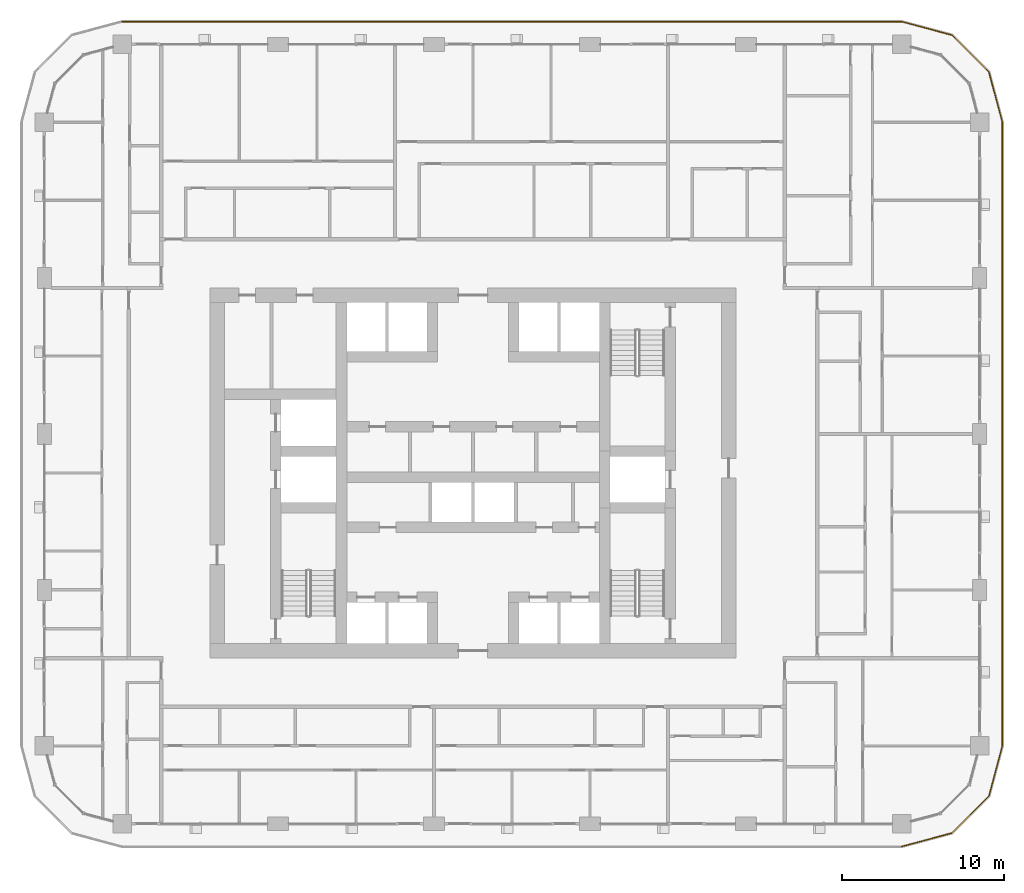
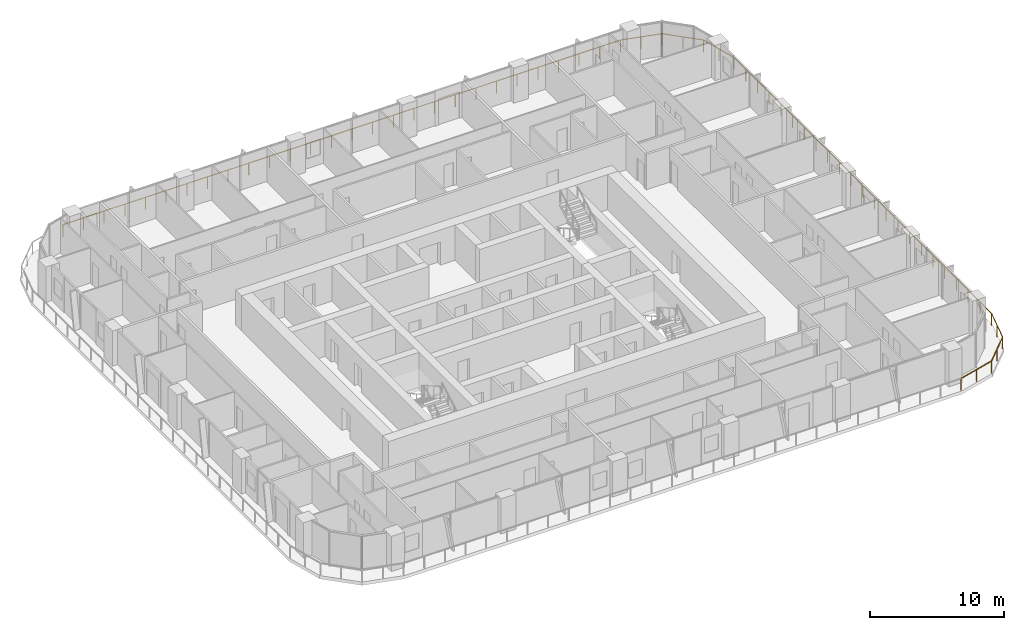
# One storey, part 19 of 21: 1 railing.
"""IFC4 building model written with IfcOpenShell, lengths in metres."""

from ifc_helpers import new_model, si_unit, direction, frame, origin, origin_2d, place, context, subcontext, project, spatial, circle, extrude, material, type_object, element, save


model = new_model("IFC4")

# Units and contexts
model_context = context("Model", 3, precision=1e-05, world=origin(), true_north=direction((0.0, 1.0)))
body_context = subcontext(model_context, "Body", "Model", "MODEL_VIEW")
ifc_project = project(units=[si_unit("LENGTHUNIT", "METRE"), si_unit("AREAUNIT", "SQUARE_METRE"), si_unit("VOLUMEUNIT", "CUBIC_METRE"), si_unit("PLANEANGLEUNIT", "RADIAN"), si_unit("MASSUNIT", "GRAM", prefix="KILO")], contexts=[model_context])

# Site, building, storey
site_placement = place(None, origin())
site = spatial("IfcSite", under=ifc_project, at=site_placement, CompositionType="ELEMENT")
building_placement = place(site_placement, origin())
building = spatial("IfcBuilding", under=site, at=building_placement, Name="Madar Terraces", CompositionType="ELEMENT")
storey_placement = place(building_placement, frame((0.0, 0.0, 92.699951171875)))
storey = spatial("IfcBuildingStorey", under=building, at=storey_placement, Name="L23", CompositionType="ELEMENT", Elevation=92.699951171875)

# Railing
ifc_material = material(Name="Glass, safety glazing, with stainless steel posts", Category="steel")
railing_type = type_object("IfcRailingType", Name="Balcony glass guard 1100", PredefinedType="GUARDRAIL", material=ifc_material)
railing_placement = place(storey_placement, frame((57.60009765625, 3.39990234375, 0.0)))
element("IfcRailing", 1, at=railing_placement, inside=storey, type_object=railing_type, Name="Balcony guard", PredefinedType="GUARDRAIL", context=body_context, shape_type="SweptSolid", body=[
    extrude(circle(Radius=0.02392578125, at=origin_2d()), frame((0.0, 0.0, 1.076171875), z_axis=(0.965909675762, 0.25887931217, 0.0), x_axis=(-0.25887931217, 0.965909675762, 0.0)), (0.0, 0.0, 1.0), 3.209228515625),
    extrude(circle(Radius=0.02392578125, at=origin_2d()), frame((3.099853515625, 0.830810546875, 1.076171875), z_axis=(0.707144815061, 0.707068745266, 0.0), x_axis=(-0.707068745266, 0.707144815061, 0.0)), (0.0, 0.0, 1.0), 3.20947265625),
    extrude(circle(Radius=0.02392578125, at=origin_2d()), frame((5.369384765625, 3.10009765625, 1.076171875), z_axis=(0.258789317819, 0.9659337912, 0.0), x_axis=(-0.9659337912, 0.258789317819, 0.0)), (0.0, 0.0, 1.0), 3.20947265625),
    extrude(circle(Radius=0.02392578125, at=origin_2d()), frame((6.199951171875, 6.2001953125, 1.076171875), z_axis=(0.0, 1.0, 0.0), x_axis=(-1.0, 0.0, 0.0)), (0.0, 0.0, 1.0), 38.39990234375),
    extrude(circle(Radius=0.02392578125, at=origin_2d()), frame((6.199951171875, 44.60009765625, 1.076171875), z_axis=(-0.258789317819, 0.9659337912, 0.0), x_axis=(-0.9659337912, -0.258789317819, 0.0)), (0.0, 0.0, 1.0), 3.20947265625),
    extrude(circle(Radius=0.02392578125, at=origin_2d()), frame((5.369384765625, 47.7001953125, 1.076171875), z_axis=(-0.707144815061, 0.707068745266, 0.0), x_axis=(-0.707068745266, -0.707144815061, 0.0)), (0.0, 0.0, 1.0), 3.20947265625),
    extrude(circle(Radius=0.02392578125, at=origin_2d()), frame((3.099853515625, 49.969482421875, 1.076171875), z_axis=(-0.965928696102, 0.258808334578, 0.0), x_axis=(-0.258808334578, -0.965928696102, 0.0)), (0.0, 0.0, 1.0), 3.209228515625),
    extrude(circle(Radius=0.02392578125, at=origin_2d()), frame((0.0, 50.800048828125, 1.076171875), z_axis=(-1.0, 0.0, 0.0), x_axis=(0.0, -1.0, 0.0)), (0.0, 0.0, 1.0), 48.0),
    extrude(circle(Radius=0.02099609375, at=origin_2d()), origin(), (0.0, 0.0, 1.0), 1.052001953125),
    extrude(circle(Radius=0.02099609375, at=origin_2d()), frame((1.5498046875, 0.41552734375, 0.0)), (0.0, 0.0, 1.0), 1.052001953125),
    extrude(circle(Radius=0.02099609375, at=origin_2d()), frame((3.099853515625, 0.830810546875, 0.0)), (0.0, 0.0, 1.0), 1.052001953125),
    extrude(circle(Radius=0.02099609375, at=origin_2d()), frame((4.234619140625, 1.96533203125, 0.0)), (0.0, 0.0, 1.0), 1.052001953125),
    extrude(circle(Radius=0.02099609375, at=origin_2d()), frame((5.369384765625, 3.10009765625, 0.0)), (0.0, 0.0, 1.0), 1.052001953125),
    extrude(circle(Radius=0.02099609375, at=origin_2d()), frame((5.78466796875, 4.650146484375, 0.0)), (0.0, 0.0, 1.0), 1.052001953125),
    extrude(circle(Radius=0.02099609375, at=origin_2d()), frame((6.199951171875, 6.2001953125, 0.0)), (0.0, 0.0, 1.0), 1.052001953125),
    extrude(circle(Radius=0.02099609375, at=origin_2d()), frame((6.199951171875, 7.945556640625, 0.0)), (0.0, 0.0, 1.0), 1.052001953125),
    extrude(circle(Radius=0.02099609375, at=origin_2d()), frame((6.199951171875, 9.691162109375, 0.0)), (0.0, 0.0, 1.0), 1.052001953125),
    extrude(circle(Radius=0.02099609375, at=origin_2d()), frame((6.199951171875, 11.4365234375, 0.0)), (0.0, 0.0, 1.0), 1.052001953125),
    extrude(circle(Radius=0.02099609375, at=origin_2d()), frame((6.199951171875, 13.181884765625, 0.0)), (0.0, 0.0, 1.0), 1.052001953125),
    extrude(circle(Radius=0.02099609375, at=origin_2d()), frame((6.199951171875, 14.927490234375, 0.0)), (0.0, 0.0, 1.0), 1.052001953125),
    extrude(circle(Radius=0.02099609375, at=origin_2d()), frame((6.199951171875, 16.6728515625, 0.0)), (0.0, 0.0, 1.0), 1.052001953125),
    extrude(circle(Radius=0.02099609375, at=origin_2d()), frame((6.199951171875, 18.41845703125, 0.0)), (0.0, 0.0, 1.0), 1.052001953125),
    extrude(circle(Radius=0.02099609375, at=origin_2d()), frame((6.199951171875, 20.163818359375, 0.0)), (0.0, 0.0, 1.0), 1.052001953125),
    extrude(circle(Radius=0.02099609375, at=origin_2d()), frame((6.199951171875, 21.9091796875, 0.0)), (0.0, 0.0, 1.0), 1.052001953125),
    extrude(circle(Radius=0.02099609375, at=origin_2d()), frame((6.199951171875, 23.65478515625, 0.0)), (0.0, 0.0, 1.0), 1.052001953125),
    extrude(circle(Radius=0.02099609375, at=origin_2d()), frame((6.199951171875, 25.400146484375, 0.0)), (0.0, 0.0, 1.0), 1.052001953125),
    extrude(circle(Radius=0.02099609375, at=origin_2d()), frame((6.199951171875, 27.1455078125, 0.0)), (0.0, 0.0, 1.0), 1.052001953125),
    extrude(circle(Radius=0.02099609375, at=origin_2d()), frame((6.199951171875, 28.89111328125, 0.0)), (0.0, 0.0, 1.0), 1.052001953125),
    extrude(circle(Radius=0.02099609375, at=origin_2d()), frame((6.199951171875, 30.636474609375, 0.0)), (0.0, 0.0, 1.0), 1.052001953125),
    extrude(circle(Radius=0.02099609375, at=origin_2d()), frame((6.199951171875, 32.3818359375, 0.0)), (0.0, 0.0, 1.0), 1.052001953125),
    extrude(circle(Radius=0.02099609375, at=origin_2d()), frame((6.199951171875, 34.12744140625, 0.0)), (0.0, 0.0, 1.0), 1.052001953125),
    extrude(circle(Radius=0.02099609375, at=origin_2d()), frame((6.199951171875, 35.872802734375, 0.0)), (0.0, 0.0, 1.0), 1.052001953125),
    extrude(circle(Radius=0.02099609375, at=origin_2d()), frame((6.199951171875, 37.618408203125, 0.0)), (0.0, 0.0, 1.0), 1.052001953125),
    extrude(circle(Radius=0.02099609375, at=origin_2d()), frame((6.199951171875, 39.36376953125, 0.0)), (0.0, 0.0, 1.0), 1.052001953125),
    extrude(circle(Radius=0.02099609375, at=origin_2d()), frame((6.199951171875, 41.109130859375, 0.0)), (0.0, 0.0, 1.0), 1.052001953125),
    extrude(circle(Radius=0.02099609375, at=origin_2d()), frame((6.199951171875, 42.854736328125, 0.0)), (0.0, 0.0, 1.0), 1.052001953125),
    extrude(circle(Radius=0.02099609375, at=origin_2d()), frame((6.199951171875, 44.60009765625, 0.0)), (0.0, 0.0, 1.0), 1.052001953125),
    extrude(circle(Radius=0.02099609375, at=origin_2d()), frame((5.78466796875, 46.150146484375, 0.0)), (0.0, 0.0, 1.0), 1.052001953125),
    extrude(circle(Radius=0.02099609375, at=origin_2d()), frame((5.369384765625, 47.7001953125, 0.0)), (0.0, 0.0, 1.0), 1.052001953125),
    extrude(circle(Radius=0.02099609375, at=origin_2d()), frame((4.234619140625, 48.8349609375, 0.0)), (0.0, 0.0, 1.0), 1.052001953125),
    extrude(circle(Radius=0.02099609375, at=origin_2d()), frame((3.099853515625, 49.969482421875, 0.0)), (0.0, 0.0, 1.0), 1.052001953125),
    extrude(circle(Radius=0.02099609375, at=origin_2d()), frame((1.5498046875, 50.384765625, 0.0)), (0.0, 0.0, 1.0), 1.052001953125),
    extrude(circle(Radius=0.02099609375, at=origin_2d()), frame((0.0, 50.800048828125, 0.0)), (0.0, 0.0, 1.0), 1.052001953125),
    extrude(circle(Radius=0.02099609375, at=origin_2d()), frame((-1.77783203125, 50.800048828125, 0.0)), (0.0, 0.0, 1.0), 1.052001953125),
    extrude(circle(Radius=0.02099609375, at=origin_2d()), frame((-3.5556640625, 50.800048828125, 0.0)), (0.0, 0.0, 1.0), 1.052001953125),
    extrude(circle(Radius=0.02099609375, at=origin_2d()), frame((-5.333251953125, 50.800048828125, 0.0)), (0.0, 0.0, 1.0), 1.052001953125),
    extrude(circle(Radius=0.02099609375, at=origin_2d()), frame((-7.111083984375, 50.800048828125, 0.0)), (0.0, 0.0, 1.0), 1.052001953125),
    extrude(circle(Radius=0.02099609375, at=origin_2d()), frame((-8.888916015625, 50.800048828125, 0.0)), (0.0, 0.0, 1.0), 1.052001953125),
    extrude(circle(Radius=0.02099609375, at=origin_2d()), frame((-10.666748046875, 50.800048828125, 0.0)), (0.0, 0.0, 1.0), 1.052001953125),
    extrude(circle(Radius=0.02099609375, at=origin_2d()), frame((-12.4443359375, 50.800048828125, 0.0)), (0.0, 0.0, 1.0), 1.052001953125),
    extrude(circle(Radius=0.02099609375, at=origin_2d()), frame((-14.22216796875, 50.800048828125, 0.0)), (0.0, 0.0, 1.0), 1.052001953125),
    extrude(circle(Radius=0.02099609375, at=origin_2d()), frame((-16.0, 50.800048828125, 0.0)), (0.0, 0.0, 1.0), 1.052001953125),
    extrude(circle(Radius=0.02099609375, at=origin_2d()), frame((-17.77783203125, 50.800048828125, 0.0)), (0.0, 0.0, 1.0), 1.052001953125),
    extrude(circle(Radius=0.02099609375, at=origin_2d()), frame((-19.5556640625, 50.800048828125, 0.0)), (0.0, 0.0, 1.0), 1.052001953125),
    extrude(circle(Radius=0.02099609375, at=origin_2d()), frame((-21.333251953125, 50.800048828125, 0.0)), (0.0, 0.0, 1.0), 1.052001953125),
    extrude(circle(Radius=0.02099609375, at=origin_2d()), frame((-23.111083984375, 50.800048828125, 0.0)), (0.0, 0.0, 1.0), 1.052001953125),
    extrude(circle(Radius=0.02099609375, at=origin_2d()), frame((-24.888916015625, 50.800048828125, 0.0)), (0.0, 0.0, 1.0), 1.052001953125),
    extrude(circle(Radius=0.02099609375, at=origin_2d()), frame((-26.666748046875, 50.800048828125, 0.0)), (0.0, 0.0, 1.0), 1.052001953125),
    extrude(circle(Radius=0.02099609375, at=origin_2d()), frame((-28.4443359375, 50.800048828125, 0.0)), (0.0, 0.0, 1.0), 1.052001953125),
    extrude(circle(Radius=0.02099609375, at=origin_2d()), frame((-30.22216796875, 50.800048828125, 0.0)), (0.0, 0.0, 1.0), 1.052001953125),
    extrude(circle(Radius=0.02099609375, at=origin_2d()), frame((-32.0, 50.800048828125, 0.0)), (0.0, 0.0, 1.0), 1.052001953125),
    extrude(circle(Radius=0.02099609375, at=origin_2d()), frame((-33.77783203125, 50.800048828125, 0.0)), (0.0, 0.0, 1.0), 1.052001953125),
    extrude(circle(Radius=0.02099609375, at=origin_2d()), frame((-35.5556640625, 50.800048828125, 0.0)), (0.0, 0.0, 1.0), 1.052001953125),
    extrude(circle(Radius=0.02099609375, at=origin_2d()), frame((-37.333251953125, 50.800048828125, 0.0)), (0.0, 0.0, 1.0), 1.052001953125),
    extrude(circle(Radius=0.02099609375, at=origin_2d()), frame((-39.111083984375, 50.800048828125, 0.0)), (0.0, 0.0, 1.0), 1.052001953125),
    extrude(circle(Radius=0.02099609375, at=origin_2d()), frame((-40.888916015625, 50.800048828125, 0.0)), (0.0, 0.0, 1.0), 1.052001953125),
    extrude(circle(Radius=0.02099609375, at=origin_2d()), frame((-42.666748046875, 50.800048828125, 0.0)), (0.0, 0.0, 1.0), 1.052001953125),
    extrude(circle(Radius=0.02099609375, at=origin_2d()), frame((-44.4443359375, 50.800048828125, 0.0)), (0.0, 0.0, 1.0), 1.052001953125),
    extrude(circle(Radius=0.02099609375, at=origin_2d()), frame((-46.22216796875, 50.800048828125, 0.0)), (0.0, 0.0, 1.0), 1.052001953125),
    extrude(circle(Radius=0.02099609375, at=origin_2d()), frame((-48.0, 50.800048828125, 0.0)), (0.0, 0.0, 1.0), 1.052001953125),
])

save(model, "model.ifc")
